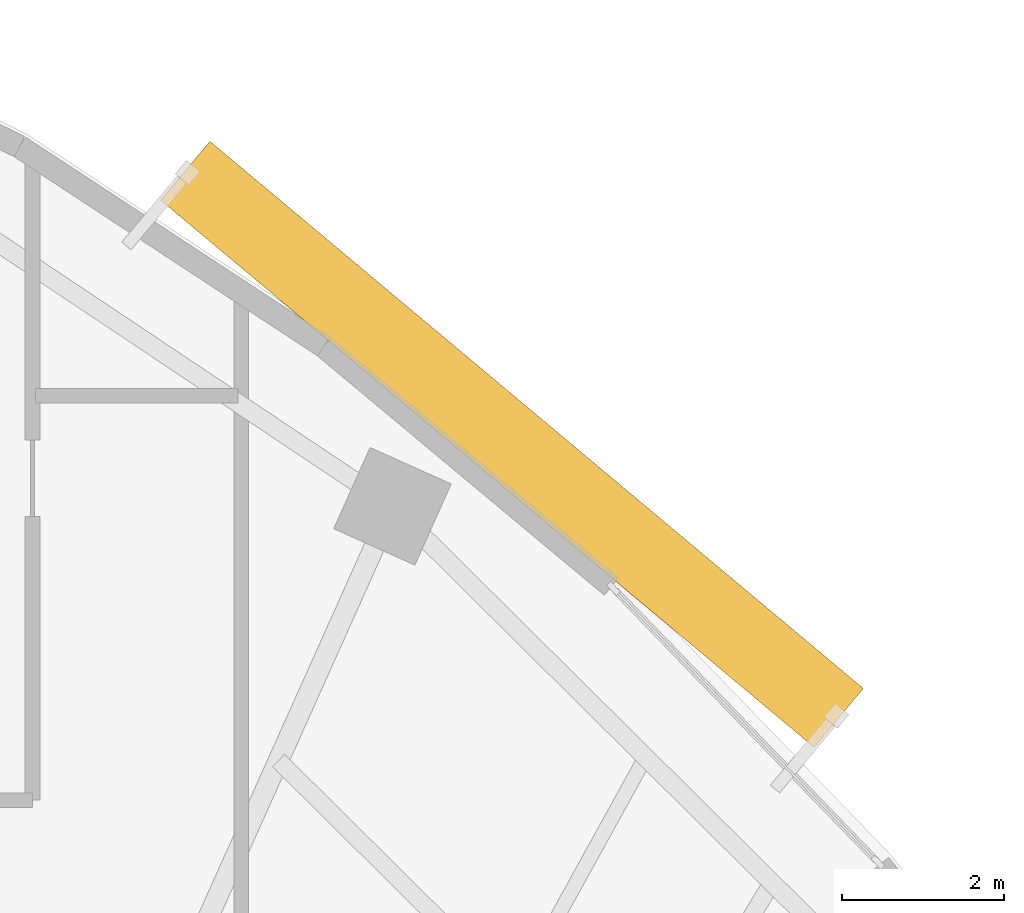
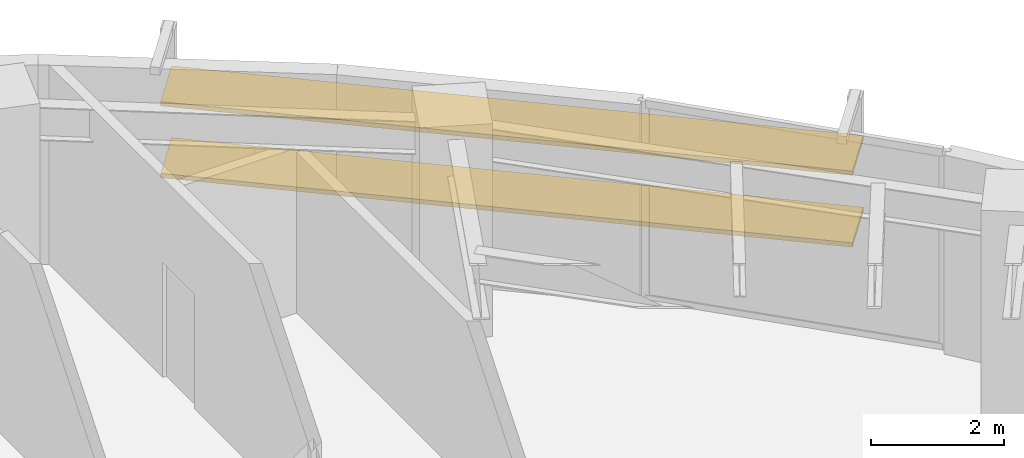
# One storey, part 13 of 13: 2 shading devices.
"""IFC4 building model written with IfcOpenShell, lengths in metres."""

from ifc_helpers import new_model, si_unit, direction, frame, origin, origin_2d, place, context, subcontext, project, spatial, rectangle, extrude, source, transform, mapped, material, material_profile, profile_set, type_object, element, save


model = new_model("IFC4")

# Units and contexts
model_context = context("Model", 3, precision=1e-05, world=origin(), true_north=direction((0.0, 1.0)))
body_context = subcontext(model_context, "Body", "Model", "MODEL_VIEW")
ifc_project = project(units=[si_unit("LENGTHUNIT", "METRE"), si_unit("AREAUNIT", "SQUARE_METRE"), si_unit("VOLUMEUNIT", "CUBIC_METRE"), si_unit("PLANEANGLEUNIT", "RADIAN"), si_unit("MASSUNIT", "GRAM", prefix="KILO")], contexts=[model_context])

# Site, building, storey
site_placement = place(None, origin())
site = spatial("IfcSite", under=ifc_project, at=site_placement, CompositionType="ELEMENT")
building_placement = place(site_placement, origin())
building = spatial("IfcBuilding", under=site, at=building_placement, Name="Breltana Convention Tower", CompositionType="ELEMENT")
storey_placement = place(building_placement, frame((0.0, 0.0, 174.0)))
storey = spatial("IfcBuildingStorey", under=building, at=storey_placement, Name="L42", CompositionType="ELEMENT", Elevation=174.0)

# Shading devices
ifc_material = material(Name="Limestone Warm Buff Honed", Category="masonry")
ifc_material_profile = material_profile(ifc_material, rectangle(XDim=0.949951171875, YDim=0.080078125, at=origin_2d()), Name="STN-LVR-950X80")
ifc_profile_set = profile_set([ifc_material_profile], Name="Limestone Warm Buff Honed")
shading_device_type = type_object("IfcShadingDeviceType", Name="SHD-OUTER-SKIN-LIMESTONE-950", PredefinedType="JALOUSIE", material=ifc_profile_set)
shared_shape = source(origin(), body_context, "Body", "SweptSolid", [
    extrude(rectangle(XDim=0.949951171875, YDim=0.080078125, at=origin_2d()), origin(), (0.0, 0.0, 1.0), 10.538330078125),
])
for number, where, z_axis, x_axis, name in (
    (1, (66.34814453125, 72.782958984375, 1.31396484375), (0.766705694316, -0.641998736996, 0.0), (0.641998736996, 0.766705694316, 0.0), "L42 outer skin warm limestone louvre 2.1"),
    (2, (66.34814453125, 72.782958984375, 2.6279296875), (0.766705694316, -0.641998736996, 0.0), (0.641998736996, 0.766705694316, 0.0), "L42 outer skin warm limestone louvre 2.2"),
):
    element("IfcShadingDevice", number, at=place(storey_placement, frame(where, z_axis=z_axis, x_axis=x_axis)), inside=storey, type_object=shading_device_type, Name=name, PredefinedType="JALOUSIE", context=body_context, shape_type="MappedRepresentation", body=[
        mapped(shared_shape, transform((0.0, 0.0, 0.0), scale=1.0)),
    ])

save(model, "model.ifc")
